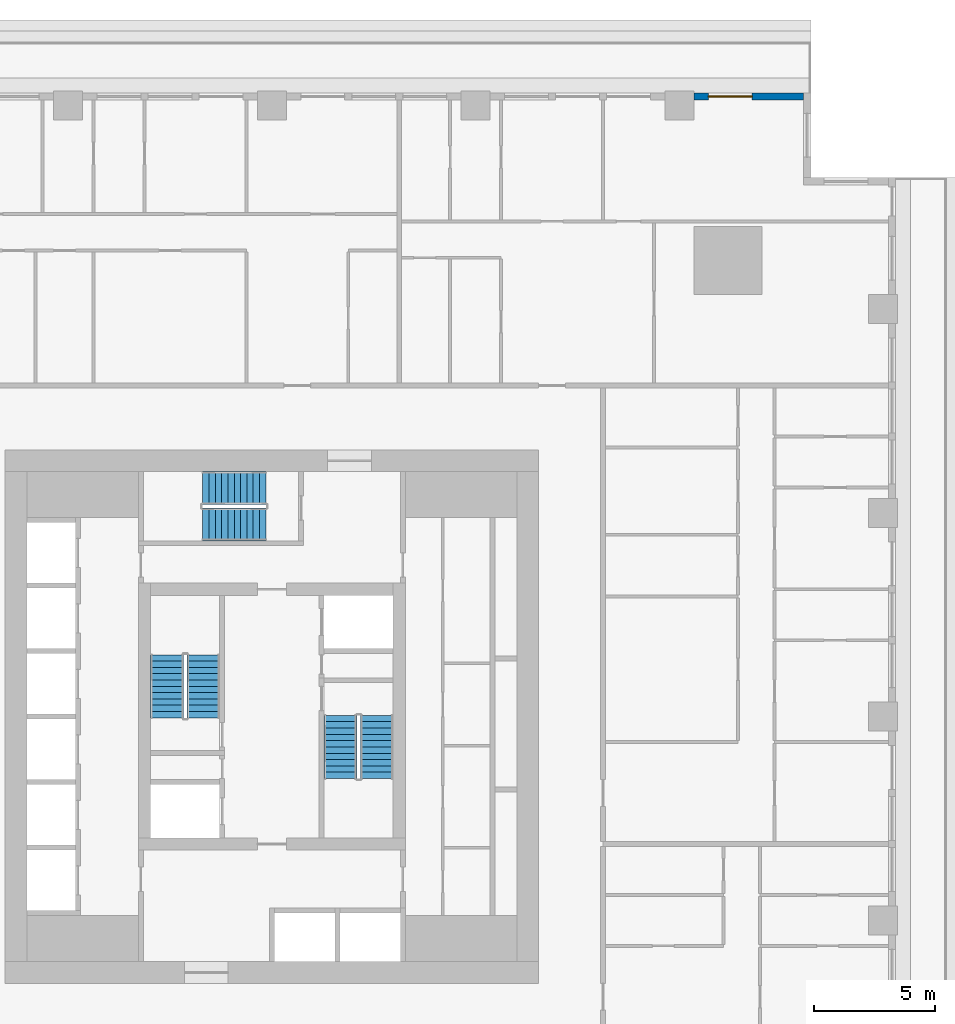
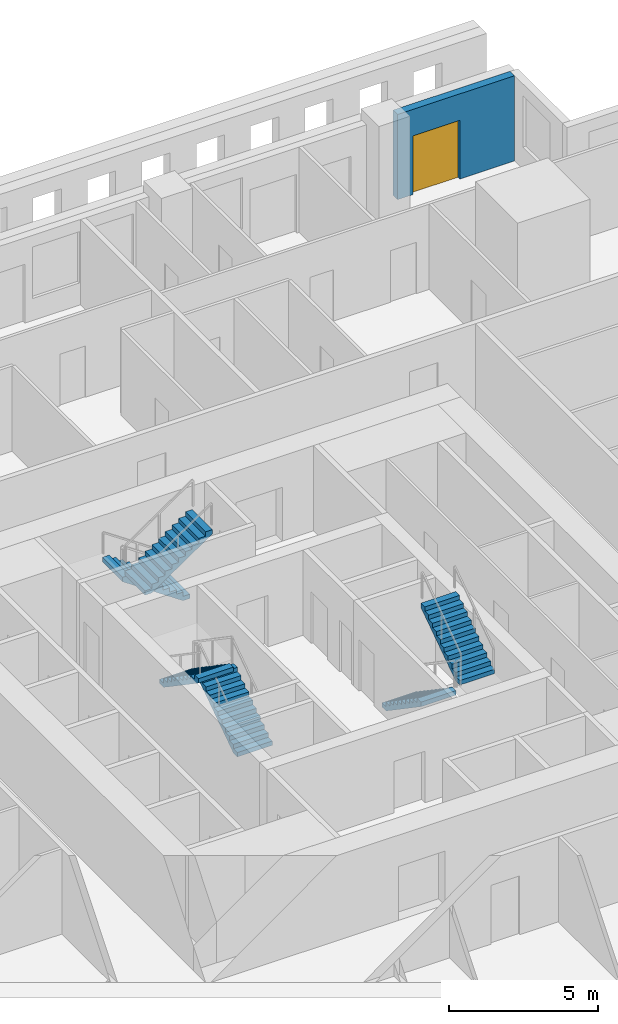
# One storey, part 10 of 15: 6 stair flights, 1 door, 1 wall, 1 opening, 3 elements without a shape of their own.
"""IFC4 building model written with IfcOpenShell, lengths in metres."""

from ifc_helpers import new_model, si_unit, direction, frame, frame_2d, origin, place, context, subcontext, project, spatial, polyline, rectangle, outline, extrude, material, layer, layer_set, type_object, element, fill, aggregate, save


model = new_model("IFC4")

# Units and contexts
model_context = context("Model", 3, precision=1e-05, world=origin(), true_north=direction((0.0, 1.0)))
body_context = subcontext(model_context, "Body", "Model", "MODEL_VIEW")
ifc_project = project(units=[si_unit("LENGTHUNIT", "METRE"), si_unit("AREAUNIT", "SQUARE_METRE"), si_unit("VOLUMEUNIT", "CUBIC_METRE"), si_unit("PLANEANGLEUNIT", "RADIAN"), si_unit("MASSUNIT", "GRAM", prefix="KILO")], contexts=[model_context])

# Site, building, storey
site_placement = place(None, origin())
site = spatial("IfcSite", under=ifc_project, at=site_placement, CompositionType="ELEMENT")
building_placement = place(site_placement, origin())
building = spatial("IfcBuilding", under=site, at=building_placement, Name="Khepri Terraces", CompositionType="ELEMENT")
storey_placement = place(building_placement, frame((0.0, 0.0, 98.699951171875)))
storey = spatial("IfcBuildingStorey", under=building, at=storey_placement, Name="L23", CompositionType="ELEMENT", Elevation=98.699951171875)

# Wall, opening, door
ifc_material_1 = material(Name="Precast concrete C50/60 warm stone", Category="masonry")
ifc_layer = layer(ifc_material_1, 0.300048828125, Name="Precast concrete C50/60 warm stone", Category="masonry")
ifc_layer_set = layer_set([ifc_layer], Name="Precast concrete C50/60 warm stone")
wall_type = type_object("IfcWallType", Name="WL-EXT-PRECAST-300", PredefinedType="STANDARD", material=ifc_layer_set)
wall_placement = place(storey_placement, frame((21.919921875, 25.570068359375, 0.0), z_axis=(0.0, 0.0, 1.0), x_axis=(-1.0, 0.0, 0.0)))
wall = element("IfcWall", 1, at=wall_placement, inside=storey, type_object=wall_type, Name="External wall L23 N", PredefinedType="STANDARD", context=body_context, shape_type="SweptSolid", body=[
    extrude(rectangle(XDim=4.52001953125, YDim=0.300048828125, at=frame_2d((2.260009765625, 0.0))), origin(), (0.0, 0.0, 1.0), 3.47998046875),
])
opening_placement = place(wall_placement, frame((2.1201171875, 0.0, 0.0)))
opening = element("IfcOpeningElement", 2, at=opening_placement, cuts=wall, Name="Opening ED-L23-07", PredefinedType="OPENING", context=body_context, shape_type="SweptSolid", body=[
    extrude(rectangle(XDim=1.800048828125, YDim=2.39990234375, at=frame_2d((0.89990234375, 1.199951171875))), frame((0.0, 0.16015625, 0.0), z_axis=(0.0, -1.0, 0.0), x_axis=(1.0, 0.0, 0.0)), (0.0, 0.0, 1.0), 0.320068359375),
])
ifc_material_2 = material(Name="Anodised aluminium bronze glazed door", Category="aluminium")
door_type = type_object("IfcDoorType", Name="DR-BAL-SLIDE-1800x2400", OperationType="NOTDEFINED", PredefinedType="DOOR", material=ifc_material_2)
door_placement = place(opening_placement, origin())
door = element("IfcDoor", 3, at=door_placement, inside=storey, type_object=door_type, Name="Balcony door L23 N", OperationType="SLIDING_TO_RIGHT", OverallHeight=2.39990234375, OverallWidth=1.800048828125, PredefinedType="DOOR", context=body_context, shape_type="SweptSolid", body=[
    extrude(rectangle(XDim=1.800048828125, YDim=2.39990234375, at=frame_2d((0.89990234375, 1.199951171875))), frame((0.0, 0.02490234375, 0.0), z_axis=(0.0, -1.0, 0.0), x_axis=(1.0, 0.0, 0.0)), (0.0, 0.0, 1.0), 0.050048828125),
])
fill(opening, door)

# Stair, stair flights
ifc_material_3 = material(Name="Concrete C40/50", Category="concrete")
stair_type = type_object("IfcStairType", Name="STAIR-RC-22R", PredefinedType="HALF_TURN_STAIR", material=ifc_material_3)
stair_1_placement = place(storey_placement, origin())
stair_1 = element("IfcStair", 4, at=stair_1_placement, inside=storey, type_object=stair_type, Name="L23 Exit Stair ST-1", PredefinedType="HALF_TURN_STAIR")
stair_flight_type = type_object("IfcStairFlightType", Name="SFL-RC-177.3", PredefinedType="STRAIGHT", material=ifc_material_3)
stair_flight_1_placement = place(storey_placement, frame((-2.824951171875, -0.050048828125, 0.0), z_axis=(0.0, 0.0, 1.0), x_axis=(0.0, 1.0, 0.0)))
stair_flight_1 = element("IfcStairFlight", 5, at=stair_flight_1_placement, type_object=stair_flight_type, Name="ST-1 flight 1", NumberOfRisers=11, NumberOfTreads=10, PredefinedType="STRAIGHT", RiserHeight=0.177272727, TreadLength=0.26, context=body_context, shape_type="SweptSolid", body=[
    extrude(outline(polyline([(0.0, 0.0), (0.0, 0.17724609375), (0.260009765625, 0.17724609375), (0.260009765625, 0.3544921875), (0.52001953125, 0.3544921875), (0.52001953125, 0.53173828125), (0.780029296875, 0.53173828125), (0.780029296875, 0.708984375), (1.0400390625, 0.708984375), (1.0400390625, 0.886474609375), (1.300048828125, 0.886474609375), (1.300048828125, 1.063720703125), (1.56005859375, 1.063720703125), (1.56005859375, 1.240966796875), (1.820068359375, 1.240966796875), (1.820068359375, 1.418212890625), (2.080078125, 1.418212890625), (2.080078125, 1.595458984375), (2.340087890625, 1.595458984375), (2.340087890625, 1.772705078125), (2.60009765625, 1.772705078125), (2.60009765625, 1.949951171875), (2.60009765625, 1.59130859375), (0.26611328125, 0.0), (0.0, 0.0)])), frame((0.0, 0.675048828125, 0.0), z_axis=(0.0, -1.0, 0.0), x_axis=(1.0, 0.0, 0.0)), (0.0, 0.0, 1.0), 1.35009765625),
])
stair_flight_2_placement = place(storey_placement, frame((-4.324951171875, 2.550048828125, 1.949951171875), z_axis=(0.0, 0.0, 1.0), x_axis=(0.0, -1.0, 0.0)))
stair_flight_2 = element("IfcStairFlight", 6, at=stair_flight_2_placement, type_object=stair_flight_type, Name="ST-1 flight 2", NumberOfRisers=11, NumberOfTreads=10, PredefinedType="STRAIGHT", RiserHeight=0.177272727, TreadLength=0.26, context=body_context, shape_type="SweptSolid", body=[
    extrude(outline(polyline([(0.0, 0.0), (0.0, 0.17724609375), (0.260009765625, 0.17724609375), (0.260009765625, 0.3544921875), (0.52001953125, 0.3544921875), (0.52001953125, 0.53173828125), (0.780029296875, 0.53173828125), (0.780029296875, 0.708984375), (1.0400390625, 0.708984375), (1.0400390625, 0.886474609375), (1.300048828125, 0.886474609375), (1.300048828125, 1.063720703125), (1.56005859375, 1.063720703125), (1.56005859375, 1.240966796875), (1.820068359375, 1.240966796875), (1.820068359375, 1.418212890625), (2.080078125, 1.418212890625), (2.080078125, 1.595458984375), (2.340087890625, 1.595458984375), (2.340087890625, 1.772705078125), (2.60009765625, 1.772705078125), (2.60009765625, 1.949951171875), (2.60009765625, 1.59130859375), (0.26611328125, 0.0), (0.0, 0.0)])), frame((0.0, 0.675048828125, 0.0), z_axis=(0.0, -1.0, 0.0), x_axis=(1.0, 0.0, 0.0)), (0.0, 0.0, 1.0), 1.35009765625),
])
aggregate(stair_1, [stair_flight_1, stair_flight_2])

stair_2_placement = place(storey_placement, origin())
stair_2 = element("IfcStair", 7, at=stair_2_placement, inside=storey, type_object=stair_type, Name="L23 Exit Stair ST-2", PredefinedType="HALF_TURN_STAIR")
stair_flight_3_placement = place(storey_placement, frame((2.824951171875, 0.050048828125, 0.0), z_axis=(0.0, 0.0, 1.0), x_axis=(0.0, -1.0, 0.0)))
stair_flight_3 = element("IfcStairFlight", 8, at=stair_flight_3_placement, type_object=stair_flight_type, Name="ST-2 flight 1", NumberOfRisers=11, NumberOfTreads=10, PredefinedType="STRAIGHT", RiserHeight=0.177272727, TreadLength=0.26, context=body_context, shape_type="SweptSolid", body=[
    extrude(outline(polyline([(0.0, 0.0), (0.0, 0.17724609375), (0.260009765625, 0.17724609375), (0.260009765625, 0.3544921875), (0.52001953125, 0.3544921875), (0.52001953125, 0.53173828125), (0.780029296875, 0.53173828125), (0.780029296875, 0.708984375), (1.0400390625, 0.708984375), (1.0400390625, 0.886474609375), (1.300048828125, 0.886474609375), (1.300048828125, 1.063720703125), (1.56005859375, 1.063720703125), (1.56005859375, 1.240966796875), (1.820068359375, 1.240966796875), (1.820068359375, 1.418212890625), (2.080078125, 1.418212890625), (2.080078125, 1.595458984375), (2.340087890625, 1.595458984375), (2.340087890625, 1.772705078125), (2.60009765625, 1.772705078125), (2.60009765625, 1.949951171875), (2.60009765625, 1.59130859375), (0.26611328125, 0.0), (0.0, 0.0)])), frame((0.0, 0.675048828125, 0.0), z_axis=(0.0, -1.0, 0.0), x_axis=(1.0, 0.0, 0.0)), (0.0, 0.0, 1.0), 1.35009765625),
])
stair_flight_4_placement = place(storey_placement, frame((4.324951171875, -2.550048828125, 1.949951171875), z_axis=(0.0, 0.0, 1.0), x_axis=(0.0, 1.0, 0.0)))
stair_flight_4 = element("IfcStairFlight", 9, at=stair_flight_4_placement, type_object=stair_flight_type, Name="ST-2 flight 2", NumberOfRisers=11, NumberOfTreads=10, PredefinedType="STRAIGHT", RiserHeight=0.177272727, TreadLength=0.26, context=body_context, shape_type="SweptSolid", body=[
    extrude(outline(polyline([(0.0, 0.0), (0.0, 0.17724609375), (0.260009765625, 0.17724609375), (0.260009765625, 0.3544921875), (0.52001953125, 0.3544921875), (0.52001953125, 0.53173828125), (0.780029296875, 0.53173828125), (0.780029296875, 0.708984375), (1.0400390625, 0.708984375), (1.0400390625, 0.886474609375), (1.300048828125, 0.886474609375), (1.300048828125, 1.063720703125), (1.56005859375, 1.063720703125), (1.56005859375, 1.240966796875), (1.820068359375, 1.240966796875), (1.820068359375, 1.418212890625), (2.080078125, 1.418212890625), (2.080078125, 1.595458984375), (2.340087890625, 1.595458984375), (2.340087890625, 1.772705078125), (2.60009765625, 1.772705078125), (2.60009765625, 1.949951171875), (2.60009765625, 1.59130859375), (0.26611328125, 0.0), (0.0, 0.0)])), frame((0.0, 0.675048828125, 0.0), z_axis=(0.0, -1.0, 0.0), x_axis=(1.0, 0.0, 0.0)), (0.0, 0.0, 1.0), 1.35009765625),
])
aggregate(stair_2, [stair_flight_3, stair_flight_4])

stair_3_placement = place(storey_placement, origin())
stair_3 = element("IfcStair", 10, at=stair_3_placement, inside=storey, type_object=stair_type, Name="L23 Exit Stair ST-3", PredefinedType="HALF_TURN_STAIR")
stair_flight_5_placement = place(storey_placement, frame((-0.25, 9.425048828125, 0.0), z_axis=(0.0, 0.0, 1.0), x_axis=(-1.0, 0.0, 0.0)))
stair_flight_5 = element("IfcStairFlight", 11, at=stair_flight_5_placement, type_object=stair_flight_type, Name="ST-3 flight 1", NumberOfRisers=11, NumberOfTreads=10, PredefinedType="STRAIGHT", RiserHeight=0.177272727, TreadLength=0.26, context=body_context, shape_type="SweptSolid", body=[
    extrude(outline(polyline([(0.0, 0.0), (0.0, 0.17724609375), (0.260009765625, 0.17724609375), (0.260009765625, 0.3544921875), (0.52001953125, 0.3544921875), (0.52001953125, 0.53173828125), (0.780029296875, 0.53173828125), (0.780029296875, 0.708984375), (1.0400390625, 0.708984375), (1.0400390625, 0.886474609375), (1.300048828125, 0.886474609375), (1.300048828125, 1.063720703125), (1.56005859375, 1.063720703125), (1.56005859375, 1.240966796875), (1.820068359375, 1.240966796875), (1.820068359375, 1.418212890625), (2.080078125, 1.418212890625), (2.080078125, 1.595458984375), (2.340087890625, 1.595458984375), (2.340087890625, 1.772705078125), (2.60009765625, 1.772705078125), (2.60009765625, 1.949951171875), (2.60009765625, 1.59130859375), (0.26611328125, 0.0), (0.0, 0.0)])), frame((0.0, 0.675048828125, 0.0), z_axis=(0.0, -1.0, 0.0), x_axis=(1.0, 0.0, 0.0)), (0.0, 0.0, 1.0), 1.35009765625),
])
stair_flight_6_placement = place(storey_placement, frame((-2.85009765625, 7.925048828125, 1.949951171875), z_axis=(0.0, 0.0, 1.0), x_axis=(1.0, 0.0, 0.0)))
stair_flight_6 = element("IfcStairFlight", 12, at=stair_flight_6_placement, type_object=stair_flight_type, Name="ST-3 flight 2", NumberOfRisers=11, NumberOfTreads=10, PredefinedType="STRAIGHT", RiserHeight=0.177272727, TreadLength=0.26, context=body_context, shape_type="SweptSolid", body=[
    extrude(outline(polyline([(0.0, 0.0), (0.0, 0.17724609375), (0.260009765625, 0.17724609375), (0.260009765625, 0.3544921875), (0.52001953125, 0.3544921875), (0.52001953125, 0.53173828125), (0.780029296875, 0.53173828125), (0.780029296875, 0.708984375), (1.0400390625, 0.708984375), (1.0400390625, 0.886474609375), (1.300048828125, 0.886474609375), (1.300048828125, 1.063720703125), (1.56005859375, 1.063720703125), (1.56005859375, 1.240966796875), (1.820068359375, 1.240966796875), (1.820068359375, 1.418212890625), (2.080078125, 1.418212890625), (2.080078125, 1.595458984375), (2.340087890625, 1.595458984375), (2.340087890625, 1.772705078125), (2.60009765625, 1.772705078125), (2.60009765625, 1.949951171875), (2.60009765625, 1.59130859375), (0.26611328125, 0.0), (0.0, 0.0)])), frame((0.0, 0.675048828125, 0.0), z_axis=(0.0, -1.0, 0.0), x_axis=(1.0, 0.0, 0.0)), (0.0, 0.0, 1.0), 1.35009765625),
])
aggregate(stair_3, [stair_flight_5, stair_flight_6])

save(model, "model.ifc")
